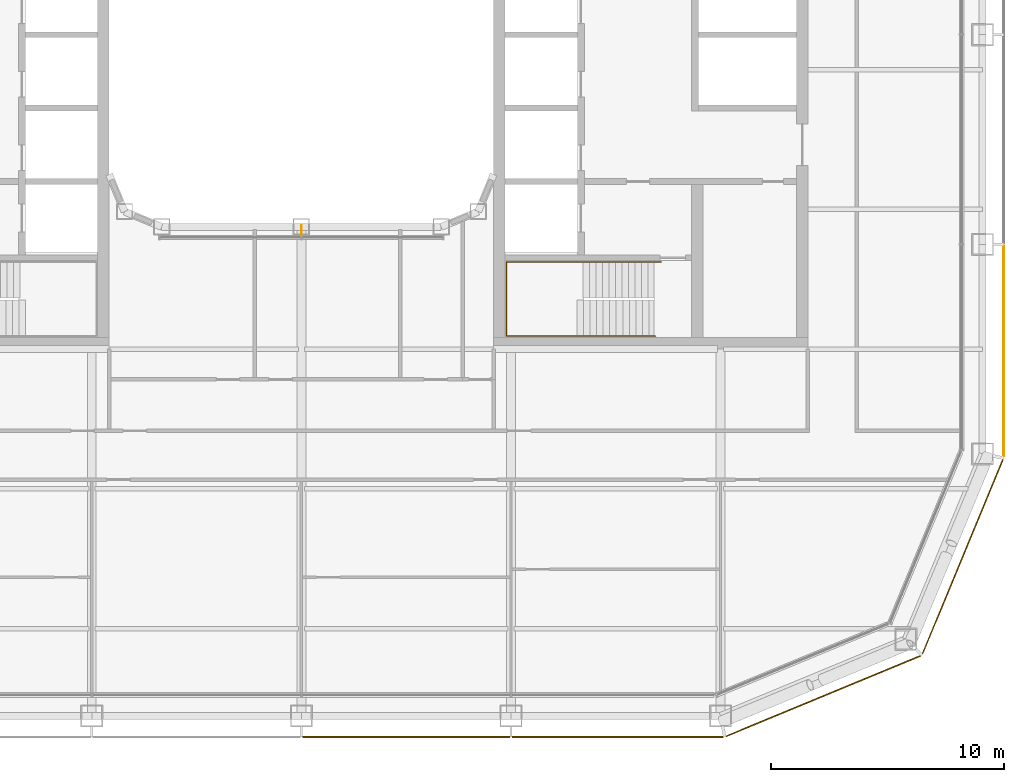
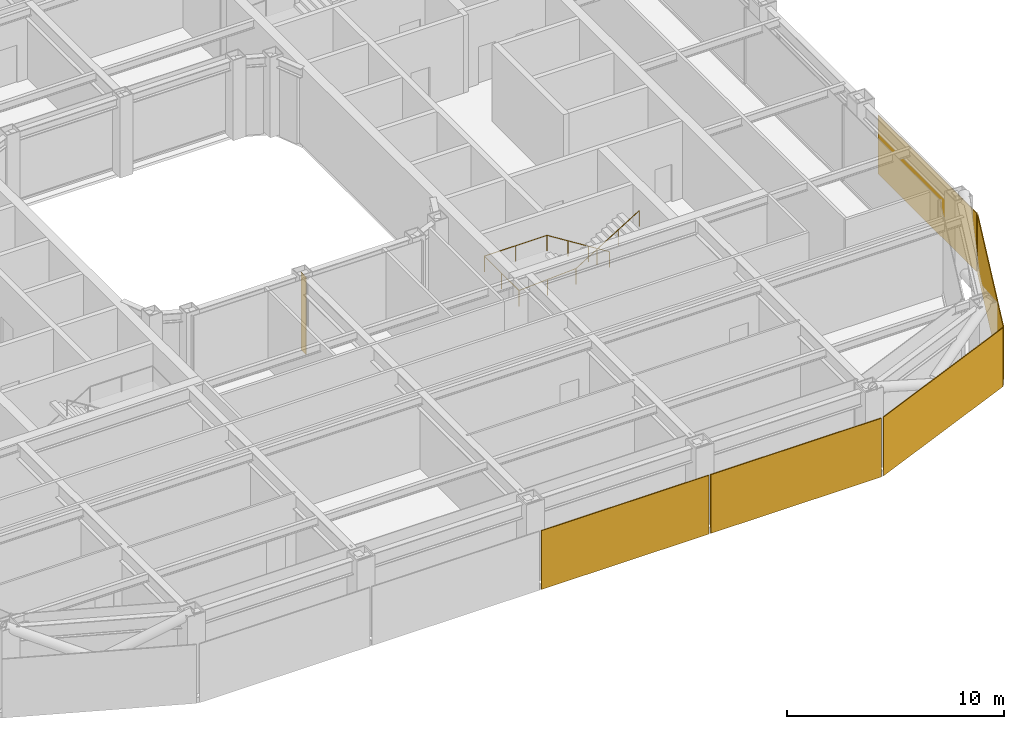
# One storey, part 18 of 21: 5 coverings, 1 railing, 1 shading device.
"""IFC4 building model written with IfcOpenShell, lengths in metres."""

from ifc_helpers import new_model, si_unit, direction, frame, origin, origin_2d, place, context, subcontext, project, spatial, rectangle, circle, extrude, material, layer, layer_set, type_object, element, save


model = new_model("IFC4")

# Units and contexts
model_context = context("Model", 3, precision=1e-05, world=origin(), true_north=direction((0.0, 1.0)))
body_context = subcontext(model_context, "Body", "Model", "MODEL_VIEW")
ifc_project = project(units=[si_unit("LENGTHUNIT", "METRE"), si_unit("AREAUNIT", "SQUARE_METRE"), si_unit("VOLUMEUNIT", "CUBIC_METRE"), si_unit("PLANEANGLEUNIT", "RADIAN"), si_unit("MASSUNIT", "GRAM", prefix="KILO")], contexts=[model_context])

# Site, building, storey
site_placement = place(None, origin())
site = spatial("IfcSite", under=ifc_project, at=site_placement, CompositionType="ELEMENT")
building_placement = place(site_placement, origin())
building = spatial("IfcBuilding", under=site, at=building_placement, Name="Siwar Civic Tower", CompositionType="ELEMENT")
storey_placement = place(building_placement, frame((0.0, 0.0, 104.699951171875)))
storey = spatial("IfcBuildingStorey", under=building, at=storey_placement, Name="L22", CompositionType="ELEMENT", Elevation=104.699951171875)

# Railing
ifc_material_1 = material(Name="Stainless steel", Category="steel")
railing_type = type_object("IfcRailingType", Name="CORE-STAIR-HANDRAIL", PredefinedType="HANDRAIL", material=ifc_material_1)
railing_placement = place(storey_placement, frame((15.449951171875, -9.758056640625, 0.173095703125)))
element("IfcRailing", 1, at=railing_placement, inside=storey, type_object=railing_type, Name="Stair handrail ST4", PredefinedType="HANDRAIL", context=body_context, shape_type="SweptSolid", body=[
    extrude(circle(Radius=0.02001953125, at=origin_2d()), frame((0.0, 0.0, 0.8798828125), z_axis=(-0.847063342986, 0.0, 0.531491950051), x_axis=(0.0, -1.0, 0.0)), (0.0, 0.0, 1.0), 3.90771484375),
    extrude(circle(Radius=0.02001953125, at=origin_2d()), frame((-3.31005859375, 0.0, 2.956787109375), z_axis=(-1.0, 0.0, 0.0), x_axis=(0.0, -1.0, 0.0)), (0.0, 0.0, 1.0), 3.331787109375),
    extrude(circle(Radius=0.02001953125, at=origin_2d()), frame((-6.641845703125, 0.0, 2.956787109375), z_axis=(0.0, -1.0, 0.0), x_axis=(1.0, 0.0, 0.0)), (0.0, 0.0, 1.0), 3.183837890625),
    extrude(circle(Radius=0.02001953125, at=origin_2d()), frame((-6.641845703125, -3.183837890625, 2.956787109375), z_axis=(0.99837434197, 0.0, 0.056997134106), x_axis=(0.0, 1.0, 0.0)), (0.0, 0.0, 1.0), 3.036865234375),
    extrude(circle(Radius=0.02001953125, at=origin_2d()), frame((-3.60986328125, -3.183837890625, 3.1298828125), z_axis=(0.850606129759, 0.0, 0.525803396734), x_axis=(0.0, 1.0, 0.0)), (0.0, 0.0, 1.0), 3.949951171875),
    extrude(circle(Radius=0.02001953125, at=origin_2d()), origin(), (0.0, 0.0, 1.0), 0.85986328125),
    extrude(circle(Radius=0.02001953125, at=origin_2d()), frame((-1.103271484375, 0.0, 0.6923828125)), (0.0, 0.0, 1.0), 0.85986328125),
    extrude(circle(Radius=0.02001953125, at=origin_2d()), frame((-2.206787109375, 0.0, 1.384521484375)), (0.0, 0.0, 1.0), 0.85986328125),
    extrude(circle(Radius=0.02001953125, at=origin_2d()), frame((-3.31005859375, 0.0, 2.076904296875)), (0.0, 0.0, 1.0), 0.85986328125),
    extrude(circle(Radius=0.02001953125, at=origin_2d()), frame((-4.97607421875, 0.0, 2.076904296875)), (0.0, 0.0, 1.0), 0.85986328125),
    extrude(circle(Radius=0.02001953125, at=origin_2d()), frame((-6.641845703125, 0.0, 2.076904296875)), (0.0, 0.0, 1.0), 0.85986328125),
    extrude(circle(Radius=0.02001953125, at=origin_2d()), frame((-6.641845703125, -1.591796875, 2.076904296875)), (0.0, 0.0, 1.0), 0.85986328125),
    extrude(circle(Radius=0.02001953125, at=origin_2d()), frame((-6.641845703125, -3.183837890625, 2.076904296875)), (0.0, 0.0, 1.0), 0.85986328125),
    extrude(circle(Radius=0.02001953125, at=origin_2d()), frame((-5.1259765625, -3.183837890625, 2.16357421875)), (0.0, 0.0, 1.0), 0.85986328125),
    extrude(circle(Radius=0.02001953125, at=origin_2d()), frame((-3.60986328125, -3.183837890625, 2.25)), (0.0, 0.0, 1.0), 0.85986328125),
    extrude(circle(Radius=0.02001953125, at=origin_2d()), frame((-2.489990234375, -3.183837890625, 2.9423828125)), (0.0, 0.0, 1.0), 0.85986328125),
    extrude(circle(Radius=0.02001953125, at=origin_2d()), frame((-1.369873046875, -3.183837890625, 3.634521484375)), (0.0, 0.0, 1.0), 0.85986328125),
    extrude(circle(Radius=0.02001953125, at=origin_2d()), frame((-0.25, -3.183837890625, 4.326904296875)), (0.0, 0.0, 1.0), 0.85986328125),
])

# Shading device
ifc_material_2 = material(Name="Aluminium 6063-T6", Category="aluminium")
ifc_layer_1 = layer(ifc_material_2, 0.02001953125)
ifc_layer_set_1 = layer_set([ifc_layer_1], Name="Aluminium 6063-T6")
shading_device_type = type_object("IfcShadingDeviceType", Name="ENV-FIN", PredefinedType="JALOUSIE", material=ifc_layer_set_1)
shading_device_placement = place(storey_placement, frame((0.0, -8.39501953125, 0.0), z_axis=(0.0, 0.0, 1.0), x_axis=(1.0, 0.0, 0.0)))
element("IfcShadingDevice", 2, at=shading_device_placement, inside=storey, type_object=shading_device_type, Name="SUNSHADE fin WS 1", PredefinedType="JALOUSIE", context=body_context, shape_type="SweptSolid", body=[
    extrude(rectangle(XDim=0.02001953125, YDim=0.449951171875, at=origin_2d()), origin(), (0.0, 0.0, 1.0), 4.35009765625),
])

# Coverings
ifc_material_3 = material(Name="Perforated aluminium cassette, pale metal", Category="aluminium")
ifc_layer_2 = layer(ifc_material_3, 0.0400390625)
ifc_layer_set_2 = layer_set([ifc_layer_2], Name="Perforated aluminium cassette, pale metal")
covering_type_1 = type_object("IfcCoveringType", Name="ENV-OUTER SKIN OS-1", PredefinedType="CLADDING", material=ifc_layer_set_2)
covering_1_placement = place(storey_placement, frame((30.14990234375, -13.57958984375, -0.14990234375), z_axis=(0.0, 0.0, 1.0), x_axis=(0.0, 1.0, 0.0)))
element("IfcCovering", 3, at=covering_1_placement, inside=storey, type_object=covering_type_1, Name="OUTER SKIN OS-1 E 1", PredefinedType="CLADDING", context=body_context, shape_type="SweptSolid", body=[
    extrude(rectangle(XDim=9.05908203125, YDim=0.0400390625, at=origin_2d()), origin(), (0.0, 0.0, 1.0), 3.300048828125),
])
ifc_material_4 = material(Name="Perforated aluminium cassette, pale metal", Category="aluminium")
ifc_layer_3 = layer(ifc_material_4, 0.044921875)
ifc_layer_set_3 = layer_set([ifc_layer_3], Name="Perforated aluminium cassette, pale metal")
covering_type_2 = type_object("IfcCoveringType", Name="ENV-OUTER SKIN OS-2", PredefinedType="CLADDING", material=ifc_layer_set_3)
covering_2_placement = place(storey_placement, frame((28.39697265625, -22.411376953125, -0.14990234375), z_axis=(0.0, 0.0, 1.0), x_axis=(0.382683432365, 0.923879532511, 0.0)))
element("IfcCovering", 4, at=covering_2_placement, inside=storey, type_object=covering_type_2, Name="OUTER SKIN OS-2 SE2 1", PredefinedType="CLADDING", context=body_context, shape_type="SweptSolid", body=[
    extrude(rectangle(XDim=9.022216796875, YDim=0.044921875, at=origin_2d()), origin(), (0.0, 0.0, 1.0), 3.300048828125),
])
ifc_material_5 = material(Name="Perforated aluminium cassette, pale metal", Category="aluminium")
ifc_layer_4 = layer(ifc_material_5, 0.050048828125)
ifc_layer_set_4 = layer_set([ifc_layer_4], Name="Perforated aluminium cassette, pale metal")
covering_type_3 = type_object("IfcCoveringType", Name="ENV-OUTER SKIN OS-3", PredefinedType="CLADDING", material=ifc_layer_set_4)
covering_3_placement = place(storey_placement, frame((22.411376953125, -28.39697265625, -0.14990234375), z_axis=(0.0, 0.0, 1.0), x_axis=(0.923879532511, 0.382683432365, 0.0)))
element("IfcCovering", 5, at=covering_3_placement, inside=storey, type_object=covering_type_3, Name="OUTER SKIN OS-3 SE1 1", PredefinedType="CLADDING", context=body_context, shape_type="SweptSolid", body=[
    extrude(rectangle(XDim=9.022216796875, YDim=0.050048828125, at=origin_2d()), origin(), (0.0, 0.0, 1.0), 3.300048828125),
])
ifc_material_6 = material(Name="Perforated aluminium cassette, pale metal", Category="aluminium")
ifc_layer_5 = layer(ifc_material_6, 0.054931640625)
ifc_layer_set_5 = layer_set([ifc_layer_5], Name="Perforated aluminium cassette, pale metal")
covering_type_4 = type_object("IfcCoveringType", Name="ENV-OUTER SKIN OS-4", PredefinedType="CLADDING", material=ifc_layer_set_5)
covering_4_placement = place(storey_placement, frame((4.5, -30.14990234375, -0.14990234375), z_axis=(0.0, 0.0, 1.0), x_axis=(1.0, 0.0, 0.0)))
element("IfcCovering", 6, at=covering_4_placement, inside=storey, type_object=covering_type_4, Name="OUTER SKIN OS-4 S 3", PredefinedType="CLADDING", context=body_context, shape_type="SweptSolid", body=[
    extrude(rectangle(XDim=8.89990234375, YDim=0.054931640625, at=origin_2d()), origin(), (0.0, 0.0, 1.0), 3.300048828125),
])
covering_5_placement = place(storey_placement, frame((13.57958984375, -30.14990234375, -0.14990234375), z_axis=(0.0, 0.0, 1.0), x_axis=(1.0, 0.0, 0.0)))
element("IfcCovering", 7, at=covering_5_placement, inside=storey, type_object=covering_type_4, Name="OUTER SKIN OS-4 S 4", PredefinedType="CLADDING", context=body_context, shape_type="SweptSolid", body=[
    extrude(rectangle(XDim=9.05908203125, YDim=0.054931640625, at=origin_2d()), origin(), (0.0, 0.0, 1.0), 3.300048828125),
])

save(model, "model.ifc")
